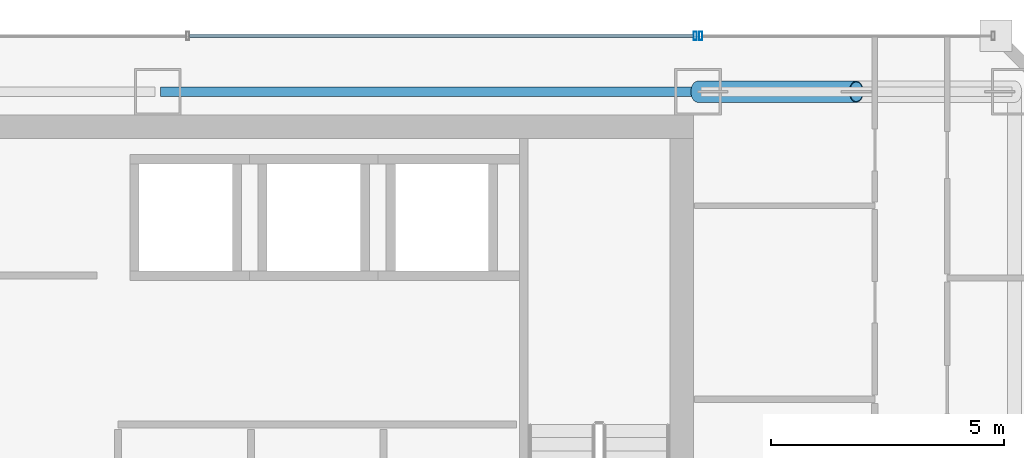
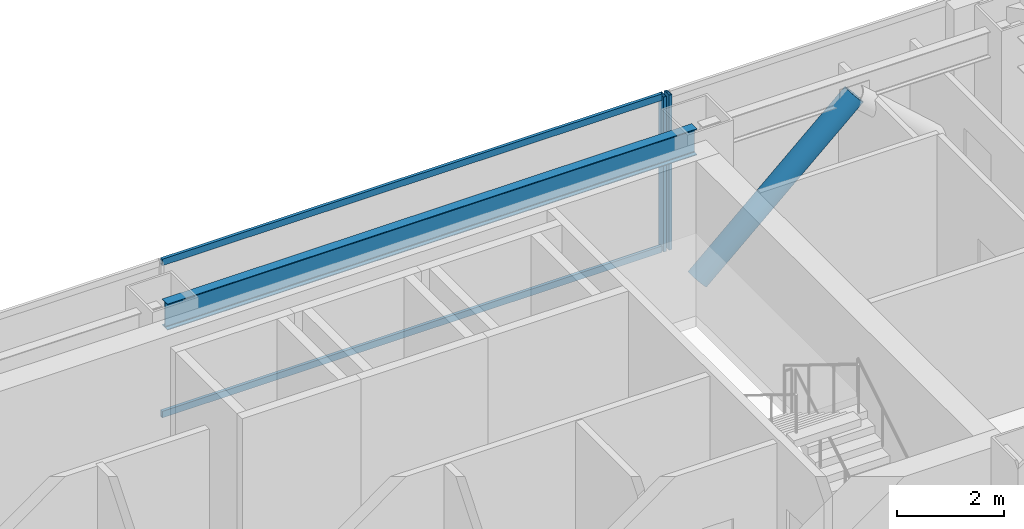
# One storey, part 25 of 35: 5 members, 1 beam, 2 elements without a shape of their own.
"""IFC4 building model written with IfcOpenShell, lengths in metres."""

import ifcopenshell
import ifcopenshell.guid

model = None  # the IFC model being written
_history = None  # IfcOwnerHistory: only IFC2X3 demands one
_inside = {}  # id of a spatial element -> (the spatial element, [elements in it])
_under = {}  # id of a project, library or spatial element -> (it, [spatial elements below it])
_declared = {}  # id of a project -> (the project, [libraries it declares])
_typed = {}  # id of a type object -> (the type object, [elements of that type])
_made_of = {}  # id of a material, layer set ... -> (it, [elements and type objects made of it])


def new_model(schema):
    """Start an empty IFC model of exactly this schema.

    Asked for "IFC4X3", IfcOpenShell would pick the latest addendum, in which some entities
    have other attributes; the version numbers below select the first issue.
    IFC2X3 requires an IfcOwnerHistory on every rooted entity: one is made here for all.
    """
    global model, _history
    if schema == "IFC4X3":
        model = ifcopenshell.file(schema_version=(4, 3, 0, 0))
    else:
        model = ifcopenshell.file(schema=schema)
    _inside.clear()
    _under.clear()
    _declared.clear()
    _typed.clear()
    _made_of.clear()
    _history = None
    if model.schema == "IFC2X3":
        org = make("IfcOrganization", Name="unknown")
        user = make(
            "IfcPersonAndOrganization",
            ThePerson=make("IfcPerson", FamilyName="unknown"),
            TheOrganization=org,
        )
        app = make(
            "IfcApplication",
            ApplicationDeveloper=org,
            Version="unknown",
            ApplicationFullName="unknown",
            ApplicationIdentifier="unknown",
        )
        _history = make(
            "IfcOwnerHistory",
            OwningUser=user,
            OwningApplication=app,
            ChangeAction="ADDED",
            CreationDate=0,
        )
    return model


def make(cls, **values):
    """One entity of the class cls with the attributes given. An attribute that is None is left unset."""
    return model.create_entity(
        cls, **{name: value for name, value in values.items() if value is not None}
    )


def rooted(cls, **values):
    """An entity with a GlobalId (a new one), such as an element, a storey or a relation."""
    return make(cls, GlobalId=ifcopenshell.guid.new(), OwnerHistory=_history, **values)


def si_unit(unit_type, name, prefix=None):
    """IfcSIUnit, for example si_unit("LENGTHUNIT", "METRE", prefix="MILLI")."""
    return make("IfcSIUnit", UnitType=unit_type, Prefix=prefix, Name=name)


def assignment(units):
    """IfcUnitAssignment: the units of a project."""
    return None if units is None else make("IfcUnitAssignment", Units=units)


def point(xyz):
    """IfcCartesianPoint."""
    return None if xyz is None else make("IfcCartesianPoint", Coordinates=xyz)


def direction(xyz):
    """IfcDirection."""
    return None if xyz is None else make("IfcDirection", DirectionRatios=xyz)


def frame(location, z_axis=None, x_axis=None):
    """IfcAxis2Placement3D, a coordinate frame: its origin and axes. An axis left out is left unset."""
    return make(
        "IfcAxis2Placement3D",
        Location=point(location),
        Axis=direction(z_axis),
        RefDirection=direction(x_axis),
    )


def frame_2d(location, x_axis=None):
    """IfcAxis2Placement2D, a coordinate frame in the plane: its origin and x axis."""
    return make(
        "IfcAxis2Placement2D", Location=point(location), RefDirection=direction(x_axis)
    )


def origin():
    """The frame at (0, 0, 0) with its axes left unset."""
    return frame((0.0, 0.0, 0.0))


def origin_2d():
    """The frame at (0, 0) in the plane with its x axis left unset."""
    return frame_2d((0.0, 0.0))


def place(relative_to, where):
    """IfcLocalPlacement: puts the frame where relative to a parent placement (None: the world)."""
    return make(
        "IfcLocalPlacement", PlacementRelTo=relative_to, RelativePlacement=where
    )


def context(
    kind, dimensions, precision=None, world=None, true_north=None, identifier=None
):
    """IfcGeometricRepresentationContext, for example the 3D "Model" context."""
    return make(
        "IfcGeometricRepresentationContext",
        ContextIdentifier=identifier,
        ContextType=kind,
        CoordinateSpaceDimension=dimensions,
        Precision=precision,
        WorldCoordinateSystem=world,
        TrueNorth=true_north,
    )


def subcontext(parent, identifier, kind, view, scale=None):
    """IfcGeometricRepresentationSubContext, for example "Body" below "Model"."""
    return make(
        "IfcGeometricRepresentationSubContext",
        ContextIdentifier=identifier,
        ContextType=kind,
        ParentContext=parent,
        TargetScale=scale,
        TargetView=view,
    )


def project(units=None, contexts=None):
    """IfcProject with its units and contexts."""
    return rooted(
        "IfcProject",
        Name="project",
        RepresentationContexts=contexts,
        UnitsInContext=assignment(units),
    )


def spatial(cls, under=None, at=None, **own):
    """A site, building, storey or space (cls), placed at a placement, below another one or the project."""
    s = rooted(cls, ObjectPlacement=at, **own)
    if under is not None:
        _under.setdefault(under.id(), (under, []))[1].append(s)
    return s


def profile(cls, at=None, kind="AREA", **sizes):
    """A parametric profile (cls). Its sizes go by their IFC names, for example OverallWidth=200.0."""
    return make(cls, ProfileType=kind, Position=at, **sizes)


def hollow_rectangle(**sizes):
    """IfcRectangleHollowProfileDef."""
    return profile("IfcRectangleHollowProfileDef", **sizes)


def hollow_circle(**sizes):
    """IfcCircleHollowProfileDef."""
    return profile("IfcCircleHollowProfileDef", **sizes)


def i_section(**sizes):
    """IfcIShapeProfileDef."""
    return profile("IfcIShapeProfileDef", **sizes)


def extrude(swept, where, along, depth):
    """IfcExtrudedAreaSolid: the profile swept, set in the frame where, extruded along a direction by depth."""
    return make(
        "IfcExtrudedAreaSolid",
        SweptArea=swept,
        Position=where,
        ExtrudedDirection=direction(along),
        Depth=depth,
    )


def shape(context_of_items, identifier, shape_type, items):
    """IfcShapeRepresentation: the items that make up one representation, for example the "Body"."""
    return make(
        "IfcShapeRepresentation",
        ContextOfItems=context_of_items,
        RepresentationIdentifier=identifier,
        RepresentationType=shape_type,
        Items=items,
    )


def material(Name=None, Category=None):
    """IfcMaterial."""
    return make("IfcMaterial", Name=Name, Category=Category)


def material_profile(
    of_material, cross_section, Name=None, Category=None, Priority=None
):
    """IfcMaterialProfile: a cross section and its material."""
    return make(
        "IfcMaterialProfile",
        Name=Name,
        Material=of_material,
        Profile=cross_section,
        Priority=Priority,
        Category=Category,
    )


def profile_set(profiles, Name=None, composite=None):
    """IfcMaterialProfileSet."""
    return make(
        "IfcMaterialProfileSet",
        Name=Name,
        MaterialProfiles=profiles,
        CompositeProfile=composite,
    )


def made_of(thing, what):
    """Note that an element or type object is made of a material, layer set ...; save() writes the relation."""
    if what is not None:
        _made_of.setdefault(what.id(), (what, []))[1].append(thing)
    return thing


def type_object(cls, material=None, **own):
    """A type object (cls), such as IfcWallType, which elements share."""
    return made_of(rooted(cls, **own), material)


def element(
    cls,
    number,
    at=None,
    inside=None,
    cuts=None,
    type_object=None,
    material=None,
    context=None,
    identifier="Body",
    shape_type=None,
    held_by="IfcProductDefinitionShape",
    body=None,
    shapes=None,
    **own,
):
    """One element of the class cls, such as IfcWall. Its Tag is "e" and its number.

    at: its placement. inside: the storey or other place that contains it. cuts: it is an
    opening in that element (IfcRelVoidsElement). A single representation is given by context,
    identifier, shape_type and body (its items); several are given by shapes. held_by: the class
    of the entity that holds the representations. save() writes the other relations.
    """
    e = rooted(cls, Tag="e%d" % number, ObjectPlacement=at, **own)
    if body is not None:
        shapes = [shape(context, identifier, shape_type, body)]
    if shapes is not None:
        e.Representation = make(held_by, Representations=shapes)
    if inside is not None:
        _inside.setdefault(inside.id(), (inside, []))[1].append(e)
    if cuts is not None:
        rooted(
            "IfcRelVoidsElement", RelatingBuildingElement=cuts, RelatedOpeningElement=e
        )
    if type_object is not None:
        _typed.setdefault(type_object.id(), (type_object, []))[1].append(e)
    return made_of(e, material)


def aggregate(whole, parts):
    """IfcRelAggregates: a whole, such as a stair, and the parts it consists of."""
    return rooted("IfcRelAggregates", RelatingObject=whole, RelatedObjects=parts)


def save(model, path):
    """Write the relations noted so far, then the file.

    IfcRelAggregates (storeys below a building ...), IfcRelContainedInSpatialStructure (elements
    in a storey), IfcRelDefinesByType, IfcRelAssociatesMaterial and IfcRelDeclares: one each for
    every whole, place, type object, material and project.
    """
    for whole, parts in _under.values():
        aggregate(whole, parts)
    for where, things in _inside.values():
        rooted(
            "IfcRelContainedInSpatialStructure",
            RelatedElements=things,
            RelatingStructure=where,
        )
    for kind, things in _typed.values():
        rooted("IfcRelDefinesByType", RelatedObjects=things, RelatingType=kind)
    for what, things in _made_of.values():
        rooted("IfcRelAssociatesMaterial", RelatedObjects=things, RelatingMaterial=what)
    for by, libraries in _declared.values():
        rooted("IfcRelDeclares", RelatingContext=by, RelatedDefinitions=libraries)
    model.write(path)


model = new_model("IFC4")

# Units and contexts
model_context = context("Model", 3, precision=1e-05, world=origin(), true_north=direction((0.0, 1.0)))
body_context = subcontext(model_context, "Body", "Model", "MODEL_VIEW")
ifc_project = project(units=[si_unit("LENGTHUNIT", "METRE"), si_unit("AREAUNIT", "SQUARE_METRE"), si_unit("VOLUMEUNIT", "CUBIC_METRE"), si_unit("PLANEANGLEUNIT", "RADIAN"), si_unit("MASSUNIT", "GRAM", prefix="KILO")], contexts=[model_context])

# Site, building, storey
site_placement = place(None, origin())
site = spatial("IfcSite", under=ifc_project, at=site_placement, CompositionType="ELEMENT")
building_placement = place(site_placement, origin())
building = spatial("IfcBuilding", under=site, at=building_placement, Name="Saevonmaru Cultural Tower", CompositionType="ELEMENT")
storey_placement = place(building_placement, frame((0.0, 0.0, 175.199951171875)))
storey = spatial("IfcBuildingStorey", under=building, at=storey_placement, Name="L39", CompositionType="ELEMENT", Elevation=175.199951171875)

# Beam
ifc_material_1 = material(Name="Steel SM355", Category="steel")
ifc_material_profile_1 = material_profile(ifc_material_1, i_section(OverallWidth=0.199951171875, OverallDepth=0.60009765625, WebThickness=0.010986328125, FlangeThickness=0.01708984375, FilletRadius=0.02197265625, at=origin_2d()), Name="H-600x200x11x17")
ifc_profile_set_1 = profile_set([ifc_material_profile_1], Name="Steel SM355")
beam_type = type_object("IfcBeamType", Name="BM-SP-H600", PredefinedType="SPANDREL", material=ifc_profile_set_1)
beam_placement = place(storey_placement, frame((34.860107421875, 54.800048828125, 3.25), z_axis=(1.0, 0.0, 0.0), x_axis=(0.0, 1.0, 0.0)))
element("IfcBeam", 1, at=beam_placement, inside=storey, type_object=beam_type, Name="L39 North Spine Girder 4", PredefinedType="SPANDREL", context=body_context, shape_type="SweptSolid", body=[
    extrude(i_section(OverallWidth=0.199951171875, OverallDepth=0.60009765625, WebThickness=0.010986328125, FlangeThickness=0.01708984375, FilletRadius=0.02197265625, at=origin_2d()), origin(), (0.0, 0.0, 1.0), 11.47998046875),
])

# Member
ifc_material_2 = material(Name="Steel SM420", Category="steel")
ifc_material_profile_2 = material_profile(ifc_material_2, hollow_circle(Radius=0.228515625, WallThickness=0.02001953125, at=origin_2d()), Name="CHS-457.2x20")
ifc_profile_set_2 = profile_set([ifc_material_profile_2], Name="Steel SM420")
member_type_1 = type_object("IfcMemberType", Name="MB-PBR-CHS457", PredefinedType="BRACE", material=ifc_profile_set_2)
member_1_placement = place(storey_placement, frame((46.39990234375, 54.800048828125, 0.02001953125), z_axis=(0.744390779303, 0.0, 0.66774423823), x_axis=(0.0, 1.0, 0.0)))
element("IfcMember", 2, at=member_1_placement, inside=storey, type_object=member_type_1, Name="L39 Perimeter Braced-Tube Diagonal EN1", PredefinedType="BRACE", context=body_context, shape_type="SweptSolid", body=[
    extrude(hollow_circle(Radius=0.228515625, WallThickness=0.02001953125, at=origin_2d()), origin(), (0.0, 0.0, 1.0), 4.567626953125),
])

# Curtain wall, member
ifc_material_3 = material(Name="Satin Bronze Anodised Aluminium", Category="aluminium")
curtain_wall_type = type_object("IfcCurtainWallType", Name="CW-TYP-B", PredefinedType="NOTDEFINED", material=ifc_material_3)
curtain_wall_1_placement = place(storey_placement, origin())
curtain_wall_1 = element("IfcCurtainWall", 3, at=curtain_wall_1_placement, inside=storey, type_object=curtain_wall_type, Name="L39 East Braced Bay Spandrel Curtain Wall E10A", PredefinedType="NOTDEFINED")
ifc_material_profile_3 = material_profile(ifc_material_3, hollow_rectangle(XDim=0.06494140625, YDim=0.179931640625, WallThickness=0.00390625, at=origin_2d()), Name="ALU-MULL-180x65x4")
ifc_profile_set_3 = profile_set([ifc_material_profile_3], Name="Satin Bronze Anodised Aluminium")
member_type_2 = type_object("IfcMemberType", Name="ML-CW-180x65", PredefinedType="MULLION", material=ifc_profile_set_3)
member_2_placement = place(storey_placement, frame((46.4599609375, 56.0, 0.0), z_axis=(0.0, 0.0, 1.0), x_axis=(-1.0, 0.0, 0.0)))
member_2 = element("IfcMember", 4, at=member_2_placement, type_object=member_type_2, Name="CW-TW-L39-E10A mullion 2", PredefinedType="MULLION", context=body_context, shape_type="SweptSolid", body=[
    extrude(hollow_rectangle(XDim=0.06494140625, YDim=0.179931640625, WallThickness=0.00390625, at=origin_2d()), origin(), (0.0, 0.0, 1.0), 3.550048828125),
])
aggregate(curtain_wall_1, [member_2])

# Curtain wall, members
curtain_wall_2_placement = place(storey_placement, origin())
curtain_wall_2 = element("IfcCurtainWall", 5, at=curtain_wall_2_placement, inside=storey, type_object=curtain_wall_type, Name="L39 North Spine Unitised Curtain Wall E10B", PredefinedType="NOTDEFINED")
member_3_placement = place(storey_placement, frame((46.340087890625, 56.0, 0.0), z_axis=(0.0, 0.0, 1.0), x_axis=(-1.0, 0.0, 0.0)))
member_3 = element("IfcMember", 6, at=member_3_placement, type_object=member_type_2, Name="CW-TW-L39-E10B mullion 1", PredefinedType="MULLION", context=body_context, shape_type="SweptSolid", body=[
    extrude(hollow_rectangle(XDim=0.06494140625, YDim=0.179931640625, WallThickness=0.00390625, at=origin_2d()), origin(), (0.0, 0.0, 1.0), 3.550048828125),
])
ifc_material_profile_4 = material_profile(ifc_material_3, hollow_rectangle(XDim=0.06494140625, YDim=0.14990234375, WallThickness=0.00390625, at=origin_2d()), Name="ALU-TRAN-150x65x4")
ifc_profile_set_4 = profile_set([ifc_material_profile_4], Name="Satin Bronze Anodised Aluminium")
member_type_3 = type_object("IfcMemberType", Name="TR-CW-150x65", PredefinedType="USERDEFINED", material=ifc_profile_set_4)
member_4_placement = place(storey_placement, frame((46.3076171875, 56.0, 0.032470703125), z_axis=(-1.0, 0.0, 0.0), x_axis=(0.0, -1.0, 0.0)))
member_4 = element("IfcMember", 7, at=member_4_placement, type_object=member_type_3, Name="CW-TW-L39-E10B transom 1.1", ObjectType="TRANSOM", PredefinedType="USERDEFINED", context=body_context, shape_type="SweptSolid", body=[
    extrude(hollow_rectangle(XDim=0.06494140625, YDim=0.14990234375, WallThickness=0.00390625, at=origin_2d()), origin(), (0.0, 0.0, 1.0), 10.828369140625),
])
member_5_placement = place(storey_placement, frame((46.3076171875, 56.0, 3.517578125), z_axis=(-1.0, 0.0, 0.0), x_axis=(0.0, -1.0, 0.0)))
member_5 = element("IfcMember", 8, at=member_5_placement, type_object=member_type_3, Name="CW-TW-L39-E10B transom 1.2", ObjectType="TRANSOM", PredefinedType="USERDEFINED", context=body_context, shape_type="SweptSolid", body=[
    extrude(hollow_rectangle(XDim=0.06494140625, YDim=0.14990234375, WallThickness=0.00390625, at=origin_2d()), origin(), (0.0, 0.0, 1.0), 10.828369140625),
])
aggregate(curtain_wall_2, [member_3, member_4, member_5])

save(model, "model.ifc")
